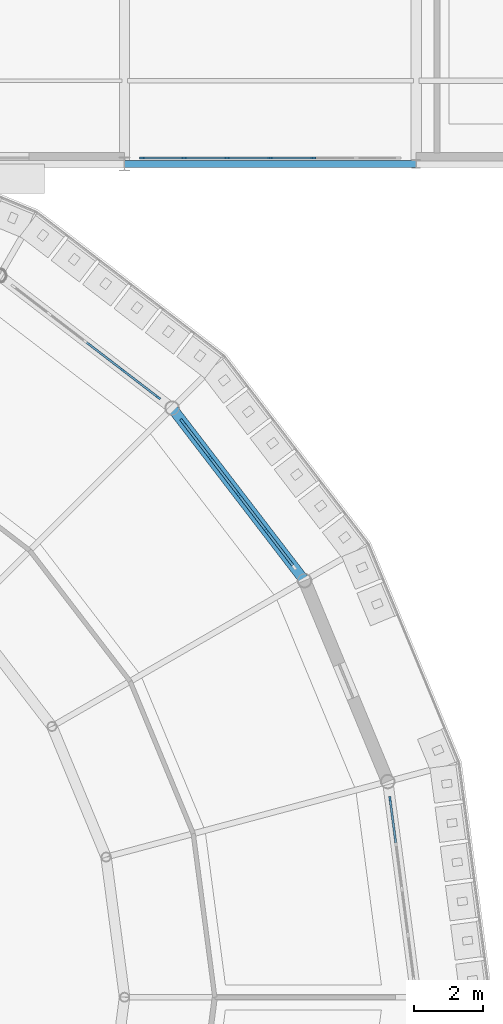
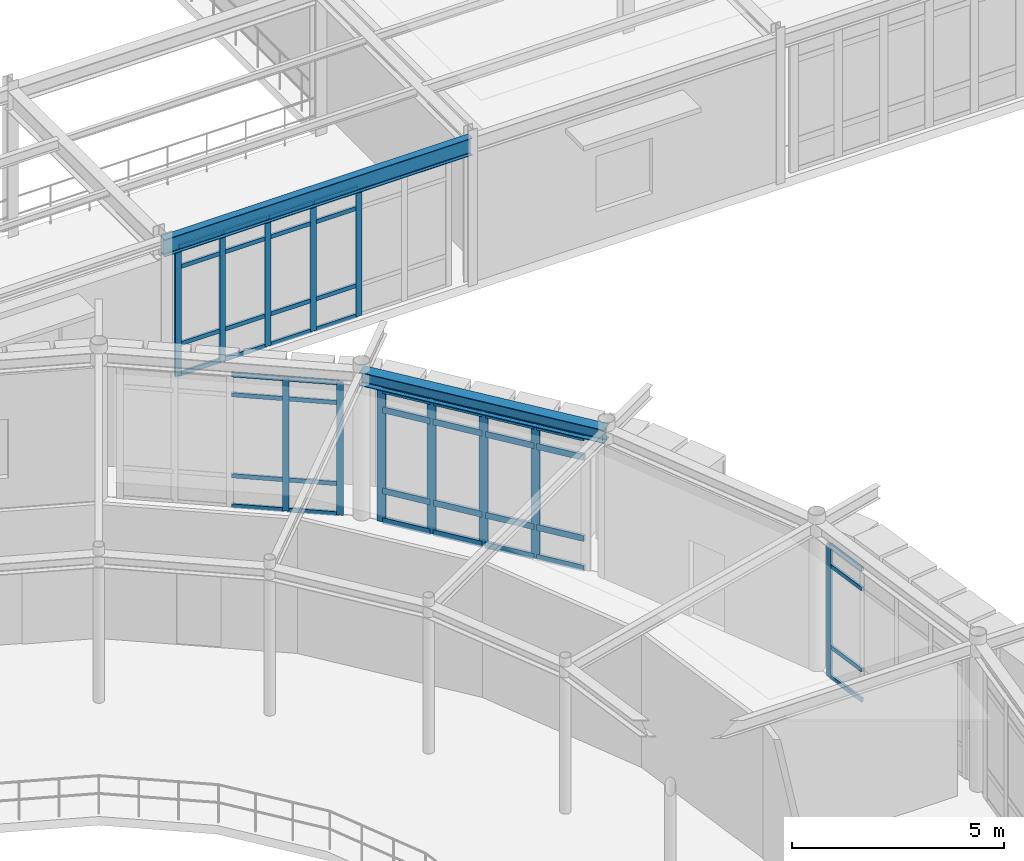
# One storey, part 57 of 106: 56 members, 2 beams, 4 elements without a shape of their own.
"""IFC4 building model written with IfcOpenShell, lengths in metres."""

from ifc_helpers import new_model, si_unit, derived_unit, direction, frame, origin, origin_2d, place, context, subcontext, project, spatial, rectangle, i_section, extrude, material, layer, layer_set, material_profile, profile_set, type_object, element, aggregate, save


model = new_model("IFC4")

# Units and contexts
model_context = context("Model", 3, precision=1e-05, world=origin(), true_north=direction((0.0, 1.0)))
body_context = subcontext(model_context, "Body", "Model", "MODEL_VIEW")
ifc_project = project(units=[si_unit("LENGTHUNIT", "METRE"), si_unit("AREAUNIT", "SQUARE_METRE"), si_unit("VOLUMEUNIT", "CUBIC_METRE"), si_unit("PLANEANGLEUNIT", "RADIAN"), si_unit("MASSUNIT", "GRAM", prefix="KILO"), derived_unit("THERMALTRANSMITTANCEUNIT", [(si_unit("POWERUNIT", "WATT"), 1), (si_unit("AREAUNIT", "SQUARE_METRE"), -1), (si_unit("THERMODYNAMICTEMPERATUREUNIT", "KELVIN"), -1)])], contexts=[model_context])

# Site, building, storey
site_placement = place(None, origin())
site = spatial("IfcSite", under=ifc_project, at=site_placement, CompositionType="ELEMENT")
building_placement = place(site_placement, origin())
building = spatial("IfcBuilding", under=site, at=building_placement, Name="Yasenodar Specialist Clinic", CompositionType="ELEMENT")
storey_placement = place(building_placement, frame((0.0, 0.0, 4.5)))
storey = spatial("IfcBuildingStorey", under=building, at=storey_placement, Name="L01", CompositionType="ELEMENT", Elevation=4.5)

# Beams
ifc_material_1 = material(Name="Steel S355", Category="steel")
ifc_material_profile_1 = material_profile(ifc_material_1, i_section(OverallWidth=0.300048828125, OverallDepth=0.389892578125, WebThickness=0.010986328125, FlangeThickness=0.01904296875, FilletRadius=0.027099609375, at=origin_2d()), Name="HEA 400")
ifc_profile_set_1 = profile_set([ifc_material_profile_1], Name="Steel S355")
beam_type_1 = type_object("IfcBeamType", Name="BM-HEA400", PredefinedType="BEAM", material=ifc_profile_set_1)
beam_1_placement = place(storey_placement, frame((101.78466796875, 70.800048828125, 4.054931640625), z_axis=(-0.608761180103, 0.793353531283, 0.0), x_axis=(-0.793353531283, -0.608761180103, 0.0)))
element("IfcBeam", 1, at=beam_1_placement, inside=storey, type_object=beam_type_1, Name="L01 Drum V1 Perimeter Ring Beam", PredefinedType="BEAM", context=body_context, shape_type="SweptSolid", body=[
    extrude(i_section(OverallWidth=0.300048828125, OverallDepth=0.389892578125, WebThickness=0.010986328125, FlangeThickness=0.01904296875, FilletRadius=0.027099609375, at=origin_2d()), origin(), (0.0, 0.0, 1.0), 6.26513671875),
])
ifc_material_profile_2 = material_profile(ifc_material_1, i_section(OverallWidth=0.199951171875, OverallDepth=0.5, WebThickness=0.01025390625, FlangeThickness=0.01611328125, FilletRadius=0.02099609375, at=origin_2d()), Name="IPE 500")
ifc_profile_set_2 = profile_set([ifc_material_profile_2], Name="Steel S355")
beam_type_2 = type_object("IfcBeamType", Name="BM-IPE500", PredefinedType="BEAM", material=ifc_profile_set_2)
beam_2_placement = place(storey_placement, frame((96.60009765625, 82.800048828125, 4.0), z_axis=(1.0, 0.0, 0.0), x_axis=(0.0, 1.0, 0.0)))
element("IfcBeam", 2, at=beam_2_placement, inside=storey, type_object=beam_type_2, Name="L01 Primary E-W Girder", PredefinedType="BEAM", context=body_context, shape_type="SweptSolid", body=[
    extrude(i_section(OverallWidth=0.199951171875, OverallDepth=0.5, WebThickness=0.01025390625, FlangeThickness=0.01611328125, FilletRadius=0.02099609375, at=origin_2d()), origin(), (0.0, 0.0, 1.0), 8.39990234375),
])

# Curtain wall, member
ifc_material_2 = material(Name="Bronze Anodized Aluminium and Triple Low-E Glass", Category="aluminium")
ifc_layer_1 = layer(ifc_material_2, 0.1669921875)
ifc_layer_set_1 = layer_set([ifc_layer_1], Name="Bronze Anodized Aluminium and Triple Low-E Glass")
curtain_wall_type_1 = type_object("IfcCurtainWallType", Name="CW-SYS-01", PredefinedType="USERDEFINED", material=ifc_layer_set_1)
curtain_wall_1_placement = place(storey_placement, origin())
curtain_wall_1 = element("IfcCurtainWall", 3, at=curtain_wall_1_placement, inside=storey, type_object=curtain_wall_type_1, Name="L01 Unitised Curtain Wall 014", ObjectType="UNITISED CURTAIN WALL", PredefinedType="USERDEFINED")
ifc_material_3 = material(Name="Bronze Anodized Aluminium", Category="aluminium")
ifc_material_profile_3 = material_profile(ifc_material_3, rectangle(XDim=0.06005859375, YDim=0.159912109375, at=origin_2d()), Name="CW-MULL 60x160")
ifc_profile_set_3 = profile_set([ifc_material_profile_3], Name="Bronze Anodized Aluminium")
member_type_1 = type_object("IfcMemberType", Name="CW-MULL-160", PredefinedType="MULLION", material=ifc_profile_set_3)
member_1_placement = place(storey_placement, frame((104.248779296875, 64.506103515625, 0.0), z_axis=(0.0, 0.0, 1.0), x_axis=(0.991446787601, 0.13051156024, 0.0)))
member_1 = element("IfcMember", 4, at=member_1_placement, type_object=member_type_1, Name="CW-01 mullion 1", PredefinedType="MULLION", context=body_context, shape_type="SweptSolid", body=[
    extrude(rectangle(XDim=0.06005859375, YDim=0.159912109375, at=origin_2d()), origin(), (0.0, 0.0, 1.0), 3.837890625),
])

# Curtain wall, members
curtain_wall_2_placement = place(storey_placement, origin())
curtain_wall_2 = element("IfcCurtainWall", 5, at=curtain_wall_2_placement, inside=storey, type_object=curtain_wall_type_1, Name="L01 Unitised Curtain Wall 016", ObjectType="UNITISED CURTAIN WALL", PredefinedType="USERDEFINED")
member_2_placement = place(storey_placement, frame((96.53759765625, 76.8701171875, 0.0), z_axis=(0.0, 0.0, 1.0), x_axis=(0.608752021844, 0.793360558574, 0.0)))
member_2 = element("IfcMember", 6, at=member_2_placement, type_object=member_type_1, Name="CW-01 mullion 4", PredefinedType="MULLION", context=body_context, shape_type="SweptSolid", body=[
    extrude(rectangle(XDim=0.06005859375, YDim=0.159912109375, at=origin_2d()), origin(), (0.0, 0.0, 1.0), 3.837890625),
])
member_3_placement = place(storey_placement, frame((97.56591796875, 76.0810546875, 0.0), z_axis=(0.0, 0.0, 1.0), x_axis=(0.608752021844, 0.793360558574, 0.0)))
member_3 = element("IfcMember", 7, at=member_3_placement, type_object=member_type_1, Name="CW-01 mullion 5", PredefinedType="MULLION", context=body_context, shape_type="SweptSolid", body=[
    extrude(rectangle(XDim=0.06005859375, YDim=0.159912109375, at=origin_2d()), origin(), (0.0, 0.0, 1.0), 3.837890625),
])

ifc_layer_2 = layer(ifc_material_2, 0.215087890625)
ifc_layer_set_2 = layer_set([ifc_layer_2], Name="Bronze Anodized Aluminium and Triple Low-E Glass")
curtain_wall_type_2 = type_object("IfcCurtainWallType", Name="CW-SYS-05", PredefinedType="USERDEFINED", material=ifc_layer_set_2)
curtain_wall_3_placement = place(storey_placement, origin())
curtain_wall_3 = element("IfcCurtainWall", 8, at=curtain_wall_3_placement, inside=storey, type_object=curtain_wall_type_2, Name="L01 Unitised Curtain Wall 151", ObjectType="UNITISED CURTAIN WALL", PredefinedType="USERDEFINED")
member_4_placement = place(storey_placement, frame((102.0400390625, 82.969970703125, 0.0), z_axis=(0.0, 0.0, 1.0), x_axis=(0.0, -1.0, 0.0)))
member_4 = element("IfcMember", 9, at=member_4_placement, type_object=member_type_1, Name="CW-05 mullion 3", PredefinedType="MULLION", context=body_context, shape_type="SweptSolid", body=[
    extrude(rectangle(XDim=0.06005859375, YDim=0.159912109375, at=origin_2d()), origin(), (0.0, 0.0, 1.0), 3.72802734375),
])
member_5_placement = place(storey_placement, frame((100.800048828125, 82.969970703125, 0.0), z_axis=(0.0, 0.0, 1.0), x_axis=(0.0, -1.0, 0.0)))
member_5 = element("IfcMember", 10, at=member_5_placement, type_object=member_type_1, Name="CW-05 mullion 4", PredefinedType="MULLION", context=body_context, shape_type="SweptSolid", body=[
    extrude(rectangle(XDim=0.06005859375, YDim=0.159912109375, at=origin_2d()), origin(), (0.0, 0.0, 1.0), 3.72802734375),
])
member_6_placement = place(storey_placement, frame((99.56005859375, 82.969970703125, 0.0), z_axis=(0.0, 0.0, 1.0), x_axis=(0.0, -1.0, 0.0)))
member_6 = element("IfcMember", 11, at=member_6_placement, type_object=member_type_1, Name="CW-05 mullion 5", PredefinedType="MULLION", context=body_context, shape_type="SweptSolid", body=[
    extrude(rectangle(XDim=0.06005859375, YDim=0.159912109375, at=origin_2d()), origin(), (0.0, 0.0, 1.0), 3.72802734375),
])
member_7_placement = place(storey_placement, frame((98.320068359375, 82.969970703125, 0.0), z_axis=(0.0, 0.0, 1.0), x_axis=(0.0, -1.0, 0.0)))
member_7 = element("IfcMember", 12, at=member_7_placement, type_object=member_type_1, Name="CW-05 mullion 6", PredefinedType="MULLION", context=body_context, shape_type="SweptSolid", body=[
    extrude(rectangle(XDim=0.06005859375, YDim=0.159912109375, at=origin_2d()), origin(), (0.0, 0.0, 1.0), 3.72802734375),
])
member_8_placement = place(storey_placement, frame((97.110107421875, 82.969970703125, 0.0), z_axis=(0.0, 0.0, 1.0), x_axis=(0.0, -1.0, 0.0)))
member_8 = element("IfcMember", 13, at=member_8_placement, type_object=member_type_1, Name="CW-05 mullion 7", PredefinedType="MULLION", context=body_context, shape_type="SweptSolid", body=[
    extrude(rectangle(XDim=0.06005859375, YDim=0.159912109375, at=origin_2d()), origin(), (0.0, 0.0, 1.0), 3.72802734375),
])

curtain_wall_4_placement = place(storey_placement, origin())
curtain_wall_4 = element("IfcCurtainWall", 14, at=curtain_wall_4_placement, inside=storey, type_object=curtain_wall_type_1, Name="L01 Unitised Curtain Wall 015", ObjectType="UNITISED CURTAIN WALL", PredefinedType="USERDEFINED")
ifc_material_profile_4 = material_profile(ifc_material_3, rectangle(XDim=0.074951171875, YDim=0.22509765625, at=origin_2d()), Name="CW-MULL 75x225")
ifc_profile_set_4 = profile_set([ifc_material_profile_4], Name="Bronze Anodized Aluminium")
member_type_2 = type_object("IfcMemberType", Name="CW-MULL-225", PredefinedType="MULLION", material=ifc_profile_set_4)
member_9_placement = place(storey_placement, frame((98.28564453125, 75.360107421875, 0.0), z_axis=(0.0, 0.0, 1.0), x_axis=(0.793360558574, 0.608752021844, 0.0)))
member_9 = element("IfcMember", 15, at=member_9_placement, type_object=member_type_2, Name="CW-01 mullion 1", PredefinedType="MULLION", context=body_context, shape_type="SweptSolid", body=[
    extrude(rectangle(XDim=0.074951171875, YDim=0.22509765625, at=origin_2d()), origin(), (0.0, 0.0, 1.0), 3.837890625),
])
member_10_placement = place(storey_placement, frame((99.0703125, 74.337646484375, 0.0), z_axis=(0.0, 0.0, 1.0), x_axis=(0.793360558574, 0.608752021844, 0.0)))
member_10 = element("IfcMember", 16, at=member_10_placement, type_object=member_type_2, Name="CW-01 mullion 2", PredefinedType="MULLION", context=body_context, shape_type="SweptSolid", body=[
    extrude(rectangle(XDim=0.074951171875, YDim=0.22509765625, at=origin_2d()), origin(), (0.0, 0.0, 1.0), 3.837890625),
])
member_11_placement = place(storey_placement, frame((99.877685546875, 73.285400390625, 0.0), z_axis=(0.0, 0.0, 1.0), x_axis=(0.793360558574, 0.608752021844, 0.0)))
member_11 = element("IfcMember", 17, at=member_11_placement, type_object=member_type_2, Name="CW-01 mullion 3", PredefinedType="MULLION", context=body_context, shape_type="SweptSolid", body=[
    extrude(rectangle(XDim=0.074951171875, YDim=0.22509765625, at=origin_2d()), origin(), (0.0, 0.0, 1.0), 3.837890625),
])
member_12_placement = place(storey_placement, frame((100.68505859375, 72.233154296875, 0.0), z_axis=(0.0, 0.0, 1.0), x_axis=(0.793360558574, 0.608752021844, 0.0)))
member_12 = element("IfcMember", 18, at=member_12_placement, type_object=member_type_2, Name="CW-01 mullion 4", PredefinedType="MULLION", context=body_context, shape_type="SweptSolid", body=[
    extrude(rectangle(XDim=0.074951171875, YDim=0.22509765625, at=origin_2d()), origin(), (0.0, 0.0, 1.0), 3.837890625),
])

# Member
ifc_material_profile_5 = material_profile(ifc_material_3, rectangle(XDim=0.06005859375, YDim=0.1201171875, at=origin_2d()), Name="CW-TRAN 60x120")
ifc_profile_set_5 = profile_set([ifc_material_profile_5], Name="Bronze Anodized Aluminium")
member_type_3 = type_object("IfcMemberType", Name="CW-TRAN-120", PredefinedType="USERDEFINED", material=ifc_profile_set_5)
member_13_placement = place(storey_placement, frame((104.252685546875, 64.476318359375, 0.030029296875), z_axis=(0.130520914683, -0.99144555616, 0.0), x_axis=(0.99144555616, 0.130520914683, 0.0)))
member_13 = element("IfcMember", 19, at=member_13_placement, type_object=member_type_3, Name="CW-01 transom 1.1", ObjectType="TRANSOM", PredefinedType="USERDEFINED", context=body_context, shape_type="SweptSolid", body=[
    extrude(rectangle(XDim=0.06005859375, YDim=0.1201171875, at=origin_2d()), origin(), (0.0, 0.0, 1.0), 1.236328125),
])

member_14_placement = place(storey_placement, frame((104.252685546875, 64.476318359375, 0.89990234375), z_axis=(0.130520914683, -0.99144555616, 0.0), x_axis=(0.99144555616, 0.130520914683, 0.0)))
member_14 = element("IfcMember", 20, at=member_14_placement, type_object=member_type_3, Name="CW-01 transom 1.2", ObjectType="TRANSOM", PredefinedType="USERDEFINED", context=body_context, shape_type="SweptSolid", body=[
    extrude(rectangle(XDim=0.06005859375, YDim=0.1201171875, at=origin_2d()), origin(), (0.0, 0.0, 1.0), 1.236328125),
])

member_15_placement = place(storey_placement, frame((104.252685546875, 64.476318359375, 3.238037109375), z_axis=(0.130520914683, -0.99144555616, 0.0), x_axis=(0.99144555616, 0.130520914683, 0.0)))
member_15 = element("IfcMember", 21, at=member_15_placement, type_object=member_type_3, Name="CW-01 transom 1.3", ObjectType="TRANSOM", PredefinedType="USERDEFINED", context=body_context, shape_type="SweptSolid", body=[
    extrude(rectangle(XDim=0.06005859375, YDim=0.1201171875, at=origin_2d()), origin(), (0.0, 0.0, 1.0), 1.236328125),
])

member_16_placement = place(storey_placement, frame((104.252685546875, 64.476318359375, 3.80810546875), z_axis=(0.130520914683, -0.99144555616, 0.0), x_axis=(0.99144555616, 0.130520914683, 0.0)))
member_16 = element("IfcMember", 22, at=member_16_placement, type_object=member_type_3, Name="CW-01 transom 1.4", ObjectType="TRANSOM", PredefinedType="USERDEFINED", context=body_context, shape_type="SweptSolid", body=[
    extrude(rectangle(XDim=0.06005859375, YDim=0.1201171875, at=origin_2d()), origin(), (0.0, 0.0, 1.0), 1.236328125),
])

aggregate(curtain_wall_1, [member_1, member_13, member_14, member_15, member_16])

member_17_placement = place(storey_placement, frame((95.509033203125, 77.659423828125, 0.030029296875), z_axis=(0.793311491475, -0.608815963567, 0.0), x_axis=(0.608815963567, 0.793311491475, 0.0)))
member_17 = element("IfcMember", 23, at=member_17_placement, type_object=member_type_3, Name="CW-01 transom 3.1", ObjectType="TRANSOM", PredefinedType="USERDEFINED", context=body_context, shape_type="SweptSolid", body=[
    extrude(rectangle(XDim=0.06005859375, YDim=0.1201171875, at=origin_2d()), origin(), (0.0, 0.0, 1.0), 1.266357421875),
])

member_18_placement = place(storey_placement, frame((95.509033203125, 77.659423828125, 0.89990234375), z_axis=(0.793311491475, -0.608815963567, 0.0), x_axis=(0.608815963567, 0.793311491475, 0.0)))
member_18 = element("IfcMember", 24, at=member_18_placement, type_object=member_type_3, Name="CW-01 transom 3.2", ObjectType="TRANSOM", PredefinedType="USERDEFINED", context=body_context, shape_type="SweptSolid", body=[
    extrude(rectangle(XDim=0.06005859375, YDim=0.1201171875, at=origin_2d()), origin(), (0.0, 0.0, 1.0), 1.266357421875),
])

member_19_placement = place(storey_placement, frame((95.509033203125, 77.659423828125, 3.238037109375), z_axis=(0.793311491475, -0.608815963567, 0.0), x_axis=(0.608815963567, 0.793311491475, 0.0)))
member_19 = element("IfcMember", 25, at=member_19_placement, type_object=member_type_3, Name="CW-01 transom 3.3", ObjectType="TRANSOM", PredefinedType="USERDEFINED", context=body_context, shape_type="SweptSolid", body=[
    extrude(rectangle(XDim=0.06005859375, YDim=0.1201171875, at=origin_2d()), origin(), (0.0, 0.0, 1.0), 1.266357421875),
])

member_20_placement = place(storey_placement, frame((95.509033203125, 77.659423828125, 3.80810546875), z_axis=(0.793311491475, -0.608815963567, 0.0), x_axis=(0.608815963567, 0.793311491475, 0.0)))
member_20 = element("IfcMember", 26, at=member_20_placement, type_object=member_type_3, Name="CW-01 transom 3.4", ObjectType="TRANSOM", PredefinedType="USERDEFINED", context=body_context, shape_type="SweptSolid", body=[
    extrude(rectangle(XDim=0.06005859375, YDim=0.1201171875, at=origin_2d()), origin(), (0.0, 0.0, 1.0), 1.266357421875),
])

member_21_placement = place(storey_placement, frame((96.561279296875, 76.85205078125, 0.030029296875), z_axis=(0.793364768151, -0.608746535642, 0.0), x_axis=(0.608746535642, 0.793364768151, 0.0)))
member_21 = element("IfcMember", 27, at=member_21_placement, type_object=member_type_3, Name="CW-01 transom 4.1", ObjectType="TRANSOM", PredefinedType="USERDEFINED", context=body_context, shape_type="SweptSolid", body=[
    extrude(rectangle(XDim=0.06005859375, YDim=0.1201171875, at=origin_2d()), origin(), (0.0, 0.0, 1.0), 1.236572265625),
])

member_22_placement = place(storey_placement, frame((96.561279296875, 76.85205078125, 0.89990234375), z_axis=(0.793364768151, -0.608746535642, 0.0), x_axis=(0.608746535642, 0.793364768151, 0.0)))
member_22 = element("IfcMember", 28, at=member_22_placement, type_object=member_type_3, Name="CW-01 transom 4.2", ObjectType="TRANSOM", PredefinedType="USERDEFINED", context=body_context, shape_type="SweptSolid", body=[
    extrude(rectangle(XDim=0.06005859375, YDim=0.1201171875, at=origin_2d()), origin(), (0.0, 0.0, 1.0), 1.236572265625),
])

member_23_placement = place(storey_placement, frame((96.561279296875, 76.85205078125, 3.238037109375), z_axis=(0.793364768151, -0.608746535642, 0.0), x_axis=(0.608746535642, 0.793364768151, 0.0)))
member_23 = element("IfcMember", 29, at=member_23_placement, type_object=member_type_3, Name="CW-01 transom 4.3", ObjectType="TRANSOM", PredefinedType="USERDEFINED", context=body_context, shape_type="SweptSolid", body=[
    extrude(rectangle(XDim=0.06005859375, YDim=0.1201171875, at=origin_2d()), origin(), (0.0, 0.0, 1.0), 1.236572265625),
])

member_24_placement = place(storey_placement, frame((96.561279296875, 76.85205078125, 3.80810546875), z_axis=(0.793364768151, -0.608746535642, 0.0), x_axis=(0.608746535642, 0.793364768151, 0.0)))
member_24 = element("IfcMember", 30, at=member_24_placement, type_object=member_type_3, Name="CW-01 transom 4.4", ObjectType="TRANSOM", PredefinedType="USERDEFINED", context=body_context, shape_type="SweptSolid", body=[
    extrude(rectangle(XDim=0.06005859375, YDim=0.1201171875, at=origin_2d()), origin(), (0.0, 0.0, 1.0), 1.236572265625),
])

aggregate(curtain_wall_2, [member_2, member_3, member_17, member_18, member_19, member_20, member_21, member_22, member_23, member_24])

member_25_placement = place(storey_placement, frame((102.010009765625, 82.969970703125, 0.030029296875), z_axis=(-1.0, 0.0, 0.0), x_axis=(0.0, -1.0, 0.0)))
member_25 = element("IfcMember", 31, at=member_25_placement, type_object=member_type_3, Name="CW-05 transom 3.1", ObjectType="TRANSOM", PredefinedType="USERDEFINED", context=body_context, shape_type="SweptSolid", body=[
    extrude(rectangle(XDim=0.06005859375, YDim=0.1201171875, at=origin_2d()), origin(), (0.0, 0.0, 1.0), 1.179931640625),
])

member_26_placement = place(storey_placement, frame((102.010009765625, 82.969970703125, 0.89990234375), z_axis=(-1.0, 0.0, 0.0), x_axis=(0.0, -1.0, 0.0)))
member_26 = element("IfcMember", 32, at=member_26_placement, type_object=member_type_3, Name="CW-05 transom 3.2", ObjectType="TRANSOM", PredefinedType="USERDEFINED", context=body_context, shape_type="SweptSolid", body=[
    extrude(rectangle(XDim=0.06005859375, YDim=0.1201171875, at=origin_2d()), origin(), (0.0, 0.0, 1.0), 1.179931640625),
])

member_27_placement = place(storey_placement, frame((102.010009765625, 82.969970703125, 3.1279296875), z_axis=(-1.0, 0.0, 0.0), x_axis=(0.0, -1.0, 0.0)))
member_27 = element("IfcMember", 33, at=member_27_placement, type_object=member_type_3, Name="CW-05 transom 3.3", ObjectType="TRANSOM", PredefinedType="USERDEFINED", context=body_context, shape_type="SweptSolid", body=[
    extrude(rectangle(XDim=0.06005859375, YDim=0.1201171875, at=origin_2d()), origin(), (0.0, 0.0, 1.0), 1.179931640625),
])

member_28_placement = place(storey_placement, frame((102.010009765625, 82.969970703125, 3.697998046875), z_axis=(-1.0, 0.0, 0.0), x_axis=(0.0, -1.0, 0.0)))
member_28 = element("IfcMember", 34, at=member_28_placement, type_object=member_type_3, Name="CW-05 transom 3.4", ObjectType="TRANSOM", PredefinedType="USERDEFINED", context=body_context, shape_type="SweptSolid", body=[
    extrude(rectangle(XDim=0.06005859375, YDim=0.1201171875, at=origin_2d()), origin(), (0.0, 0.0, 1.0), 1.179931640625),
])

member_29_placement = place(storey_placement, frame((100.77001953125, 82.969970703125, 0.030029296875), z_axis=(-1.0, 0.0, 0.0), x_axis=(0.0, -1.0, 0.0)))
member_29 = element("IfcMember", 35, at=member_29_placement, type_object=member_type_3, Name="CW-05 transom 4.1", ObjectType="TRANSOM", PredefinedType="USERDEFINED", context=body_context, shape_type="SweptSolid", body=[
    extrude(rectangle(XDim=0.06005859375, YDim=0.1201171875, at=origin_2d()), origin(), (0.0, 0.0, 1.0), 1.179931640625),
])

member_30_placement = place(storey_placement, frame((100.77001953125, 82.969970703125, 0.89990234375), z_axis=(-1.0, 0.0, 0.0), x_axis=(0.0, -1.0, 0.0)))
member_30 = element("IfcMember", 36, at=member_30_placement, type_object=member_type_3, Name="CW-05 transom 4.2", ObjectType="TRANSOM", PredefinedType="USERDEFINED", context=body_context, shape_type="SweptSolid", body=[
    extrude(rectangle(XDim=0.06005859375, YDim=0.1201171875, at=origin_2d()), origin(), (0.0, 0.0, 1.0), 1.179931640625),
])

member_31_placement = place(storey_placement, frame((100.77001953125, 82.969970703125, 3.1279296875), z_axis=(-1.0, 0.0, 0.0), x_axis=(0.0, -1.0, 0.0)))
member_31 = element("IfcMember", 37, at=member_31_placement, type_object=member_type_3, Name="CW-05 transom 4.3", ObjectType="TRANSOM", PredefinedType="USERDEFINED", context=body_context, shape_type="SweptSolid", body=[
    extrude(rectangle(XDim=0.06005859375, YDim=0.1201171875, at=origin_2d()), origin(), (0.0, 0.0, 1.0), 1.179931640625),
])

member_32_placement = place(storey_placement, frame((100.77001953125, 82.969970703125, 3.697998046875), z_axis=(-1.0, 0.0, 0.0), x_axis=(0.0, -1.0, 0.0)))
member_32 = element("IfcMember", 38, at=member_32_placement, type_object=member_type_3, Name="CW-05 transom 4.4", ObjectType="TRANSOM", PredefinedType="USERDEFINED", context=body_context, shape_type="SweptSolid", body=[
    extrude(rectangle(XDim=0.06005859375, YDim=0.1201171875, at=origin_2d()), origin(), (0.0, 0.0, 1.0), 1.179931640625),
])

member_33_placement = place(storey_placement, frame((99.530029296875, 82.969970703125, 0.030029296875), z_axis=(-1.0, 0.0, 0.0), x_axis=(0.0, -1.0, 0.0)))
member_33 = element("IfcMember", 39, at=member_33_placement, type_object=member_type_3, Name="CW-05 transom 5.1", ObjectType="TRANSOM", PredefinedType="USERDEFINED", context=body_context, shape_type="SweptSolid", body=[
    extrude(rectangle(XDim=0.06005859375, YDim=0.1201171875, at=origin_2d()), origin(), (0.0, 0.0, 1.0), 1.179931640625),
])

member_34_placement = place(storey_placement, frame((99.530029296875, 82.969970703125, 0.89990234375), z_axis=(-1.0, 0.0, 0.0), x_axis=(0.0, -1.0, 0.0)))
member_34 = element("IfcMember", 40, at=member_34_placement, type_object=member_type_3, Name="CW-05 transom 5.2", ObjectType="TRANSOM", PredefinedType="USERDEFINED", context=body_context, shape_type="SweptSolid", body=[
    extrude(rectangle(XDim=0.06005859375, YDim=0.1201171875, at=origin_2d()), origin(), (0.0, 0.0, 1.0), 1.179931640625),
])

member_35_placement = place(storey_placement, frame((99.530029296875, 82.969970703125, 3.1279296875), z_axis=(-1.0, 0.0, 0.0), x_axis=(0.0, -1.0, 0.0)))
member_35 = element("IfcMember", 41, at=member_35_placement, type_object=member_type_3, Name="CW-05 transom 5.3", ObjectType="TRANSOM", PredefinedType="USERDEFINED", context=body_context, shape_type="SweptSolid", body=[
    extrude(rectangle(XDim=0.06005859375, YDim=0.1201171875, at=origin_2d()), origin(), (0.0, 0.0, 1.0), 1.179931640625),
])

member_36_placement = place(storey_placement, frame((99.530029296875, 82.969970703125, 3.697998046875), z_axis=(-1.0, 0.0, 0.0), x_axis=(0.0, -1.0, 0.0)))
member_36 = element("IfcMember", 42, at=member_36_placement, type_object=member_type_3, Name="CW-05 transom 5.4", ObjectType="TRANSOM", PredefinedType="USERDEFINED", context=body_context, shape_type="SweptSolid", body=[
    extrude(rectangle(XDim=0.06005859375, YDim=0.1201171875, at=origin_2d()), origin(), (0.0, 0.0, 1.0), 1.179931640625),
])

member_37_placement = place(storey_placement, frame((98.2900390625, 82.969970703125, 0.030029296875), z_axis=(-1.0, 0.0, 0.0), x_axis=(0.0, -1.0, 0.0)))
member_37 = element("IfcMember", 43, at=member_37_placement, type_object=member_type_3, Name="CW-05 transom 6.1", ObjectType="TRANSOM", PredefinedType="USERDEFINED", context=body_context, shape_type="SweptSolid", body=[
    extrude(rectangle(XDim=0.06005859375, YDim=0.1201171875, at=origin_2d()), origin(), (0.0, 0.0, 1.0), 1.150146484375),
])

member_38_placement = place(storey_placement, frame((98.2900390625, 82.969970703125, 0.89990234375), z_axis=(-1.0, 0.0, 0.0), x_axis=(0.0, -1.0, 0.0)))
member_38 = element("IfcMember", 44, at=member_38_placement, type_object=member_type_3, Name="CW-05 transom 6.2", ObjectType="TRANSOM", PredefinedType="USERDEFINED", context=body_context, shape_type="SweptSolid", body=[
    extrude(rectangle(XDim=0.06005859375, YDim=0.1201171875, at=origin_2d()), origin(), (0.0, 0.0, 1.0), 1.150146484375),
])

member_39_placement = place(storey_placement, frame((98.2900390625, 82.969970703125, 3.1279296875), z_axis=(-1.0, 0.0, 0.0), x_axis=(0.0, -1.0, 0.0)))
member_39 = element("IfcMember", 45, at=member_39_placement, type_object=member_type_3, Name="CW-05 transom 6.3", ObjectType="TRANSOM", PredefinedType="USERDEFINED", context=body_context, shape_type="SweptSolid", body=[
    extrude(rectangle(XDim=0.06005859375, YDim=0.1201171875, at=origin_2d()), origin(), (0.0, 0.0, 1.0), 1.150146484375),
])

member_40_placement = place(storey_placement, frame((98.2900390625, 82.969970703125, 3.697998046875), z_axis=(-1.0, 0.0, 0.0), x_axis=(0.0, -1.0, 0.0)))
member_40 = element("IfcMember", 46, at=member_40_placement, type_object=member_type_3, Name="CW-05 transom 6.4", ObjectType="TRANSOM", PredefinedType="USERDEFINED", context=body_context, shape_type="SweptSolid", body=[
    extrude(rectangle(XDim=0.06005859375, YDim=0.1201171875, at=origin_2d()), origin(), (0.0, 0.0, 1.0), 1.150146484375),
])

aggregate(curtain_wall_3, [member_4, member_5, member_6, member_7, member_8, member_25, member_26, member_27, member_28, member_29, member_30, member_31, member_32, member_33, member_34, member_35, member_36, member_37, member_38, member_39, member_40])

ifc_material_profile_6 = material_profile(ifc_material_3, rectangle(XDim=0.074951171875, YDim=0.175048828125, at=origin_2d()), Name="CW-TRAN 75x175")
ifc_profile_set_6 = profile_set([ifc_material_profile_6], Name="Bronze Anodized Aluminium")
member_type_4 = type_object("IfcMemberType", Name="CW-TRAN-175", PredefinedType="USERDEFINED", material=ifc_profile_set_6)
member_41_placement = place(storey_placement, frame((98.308349609375, 75.330322265625, 0.03759765625), z_axis=(0.608748142328, -0.793363535343, 0.0), x_axis=(0.793363535343, 0.608748142328, 0.0)))
member_41 = element("IfcMember", 47, at=member_41_placement, type_object=member_type_4, Name="CW-01 transom 1.1", ObjectType="TRANSOM", PredefinedType="USERDEFINED", context=body_context, shape_type="SweptSolid", body=[
    extrude(rectangle(XDim=0.074951171875, YDim=0.175048828125, at=origin_2d()), origin(), (0.0, 0.0, 1.0), 1.2138671875),
])

member_42_placement = place(storey_placement, frame((98.308349609375, 75.330322265625, 0.89990234375), z_axis=(0.608748142328, -0.793363535343, 0.0), x_axis=(0.793363535343, 0.608748142328, 0.0)))
member_42 = element("IfcMember", 48, at=member_42_placement, type_object=member_type_4, Name="CW-01 transom 1.2", ObjectType="TRANSOM", PredefinedType="USERDEFINED", context=body_context, shape_type="SweptSolid", body=[
    extrude(rectangle(XDim=0.074951171875, YDim=0.175048828125, at=origin_2d()), origin(), (0.0, 0.0, 1.0), 1.2138671875),
])

member_43_placement = place(storey_placement, frame((98.308349609375, 75.330322265625, 3.238037109375), z_axis=(0.608748142328, -0.793363535343, 0.0), x_axis=(0.793363535343, 0.608748142328, 0.0)))
member_43 = element("IfcMember", 49, at=member_43_placement, type_object=member_type_4, Name="CW-01 transom 1.3", ObjectType="TRANSOM", PredefinedType="USERDEFINED", context=body_context, shape_type="SweptSolid", body=[
    extrude(rectangle(XDim=0.074951171875, YDim=0.175048828125, at=origin_2d()), origin(), (0.0, 0.0, 1.0), 1.2138671875),
])

member_44_placement = place(storey_placement, frame((98.308349609375, 75.330322265625, 3.800537109375), z_axis=(0.608748142328, -0.793363535343, 0.0), x_axis=(0.793363535343, 0.608748142328, 0.0)))
member_44 = element("IfcMember", 50, at=member_44_placement, type_object=member_type_4, Name="CW-01 transom 1.4", ObjectType="TRANSOM", PredefinedType="USERDEFINED", context=body_context, shape_type="SweptSolid", body=[
    extrude(rectangle(XDim=0.074951171875, YDim=0.175048828125, at=origin_2d()), origin(), (0.0, 0.0, 1.0), 1.2138671875),
])

member_45_placement = place(storey_placement, frame((99.093017578125, 74.307861328125, 0.03759765625), z_axis=(0.608673156435, -0.793421066417, 0.0), x_axis=(0.793421066417, 0.608673156435, 0.0)))
member_45 = element("IfcMember", 51, at=member_45_placement, type_object=member_type_4, Name="CW-01 transom 2.1", ObjectType="TRANSOM", PredefinedType="USERDEFINED", context=body_context, shape_type="SweptSolid", body=[
    extrude(rectangle(XDim=0.074951171875, YDim=0.175048828125, at=origin_2d()), origin(), (0.0, 0.0, 1.0), 1.25146484375),
])

member_46_placement = place(storey_placement, frame((99.093017578125, 74.307861328125, 0.89990234375), z_axis=(0.608673156435, -0.793421066417, 0.0), x_axis=(0.793421066417, 0.608673156435, 0.0)))
member_46 = element("IfcMember", 52, at=member_46_placement, type_object=member_type_4, Name="CW-01 transom 2.2", ObjectType="TRANSOM", PredefinedType="USERDEFINED", context=body_context, shape_type="SweptSolid", body=[
    extrude(rectangle(XDim=0.074951171875, YDim=0.175048828125, at=origin_2d()), origin(), (0.0, 0.0, 1.0), 1.25146484375),
])

member_47_placement = place(storey_placement, frame((99.093017578125, 74.307861328125, 3.238037109375), z_axis=(0.608673156435, -0.793421066417, 0.0), x_axis=(0.793421066417, 0.608673156435, 0.0)))
member_47 = element("IfcMember", 53, at=member_47_placement, type_object=member_type_4, Name="CW-01 transom 2.3", ObjectType="TRANSOM", PredefinedType="USERDEFINED", context=body_context, shape_type="SweptSolid", body=[
    extrude(rectangle(XDim=0.074951171875, YDim=0.175048828125, at=origin_2d()), origin(), (0.0, 0.0, 1.0), 1.25146484375),
])

member_48_placement = place(storey_placement, frame((99.093017578125, 74.307861328125, 3.800537109375), z_axis=(0.608673156435, -0.793421066417, 0.0), x_axis=(0.793421066417, 0.608673156435, 0.0)))
member_48 = element("IfcMember", 54, at=member_48_placement, type_object=member_type_4, Name="CW-01 transom 2.4", ObjectType="TRANSOM", PredefinedType="USERDEFINED", context=body_context, shape_type="SweptSolid", body=[
    extrude(rectangle(XDim=0.074951171875, YDim=0.175048828125, at=origin_2d()), origin(), (0.0, 0.0, 1.0), 1.25146484375),
])

member_49_placement = place(storey_placement, frame((99.900390625, 73.255615234375, 0.03759765625), z_axis=(0.608673156435, -0.793421066417, 0.0), x_axis=(0.793421066417, 0.608673156435, 0.0)))
member_49 = element("IfcMember", 55, at=member_49_placement, type_object=member_type_4, Name="CW-01 transom 3.1", ObjectType="TRANSOM", PredefinedType="USERDEFINED", context=body_context, shape_type="SweptSolid", body=[
    extrude(rectangle(XDim=0.074951171875, YDim=0.175048828125, at=origin_2d()), origin(), (0.0, 0.0, 1.0), 1.25146484375),
])

member_50_placement = place(storey_placement, frame((99.900390625, 73.255615234375, 0.89990234375), z_axis=(0.608673156435, -0.793421066417, 0.0), x_axis=(0.793421066417, 0.608673156435, 0.0)))
member_50 = element("IfcMember", 56, at=member_50_placement, type_object=member_type_4, Name="CW-01 transom 3.2", ObjectType="TRANSOM", PredefinedType="USERDEFINED", context=body_context, shape_type="SweptSolid", body=[
    extrude(rectangle(XDim=0.074951171875, YDim=0.175048828125, at=origin_2d()), origin(), (0.0, 0.0, 1.0), 1.25146484375),
])

member_51_placement = place(storey_placement, frame((99.900390625, 73.255615234375, 3.238037109375), z_axis=(0.608673156435, -0.793421066417, 0.0), x_axis=(0.793421066417, 0.608673156435, 0.0)))
member_51 = element("IfcMember", 57, at=member_51_placement, type_object=member_type_4, Name="CW-01 transom 3.3", ObjectType="TRANSOM", PredefinedType="USERDEFINED", context=body_context, shape_type="SweptSolid", body=[
    extrude(rectangle(XDim=0.074951171875, YDim=0.175048828125, at=origin_2d()), origin(), (0.0, 0.0, 1.0), 1.25146484375),
])

member_52_placement = place(storey_placement, frame((99.900390625, 73.255615234375, 3.800537109375), z_axis=(0.608673156435, -0.793421066417, 0.0), x_axis=(0.793421066417, 0.608673156435, 0.0)))
member_52 = element("IfcMember", 58, at=member_52_placement, type_object=member_type_4, Name="CW-01 transom 3.4", ObjectType="TRANSOM", PredefinedType="USERDEFINED", context=body_context, shape_type="SweptSolid", body=[
    extrude(rectangle(XDim=0.074951171875, YDim=0.175048828125, at=origin_2d()), origin(), (0.0, 0.0, 1.0), 1.25146484375),
])

member_53_placement = place(storey_placement, frame((100.707763671875, 72.203369140625, 0.03759765625), z_axis=(0.608748142328, -0.793363535343, 0.0), x_axis=(0.793363535343, 0.608748142328, 0.0)))
member_53 = element("IfcMember", 59, at=member_53_placement, type_object=member_type_4, Name="CW-01 transom 4.1", ObjectType="TRANSOM", PredefinedType="USERDEFINED", context=body_context, shape_type="SweptSolid", body=[
    extrude(rectangle(XDim=0.074951171875, YDim=0.175048828125, at=origin_2d()), origin(), (0.0, 0.0, 1.0), 1.2138671875),
])

member_54_placement = place(storey_placement, frame((100.707763671875, 72.203369140625, 0.89990234375), z_axis=(0.608748142328, -0.793363535343, 0.0), x_axis=(0.793363535343, 0.608748142328, 0.0)))
member_54 = element("IfcMember", 60, at=member_54_placement, type_object=member_type_4, Name="CW-01 transom 4.2", ObjectType="TRANSOM", PredefinedType="USERDEFINED", context=body_context, shape_type="SweptSolid", body=[
    extrude(rectangle(XDim=0.074951171875, YDim=0.175048828125, at=origin_2d()), origin(), (0.0, 0.0, 1.0), 1.2138671875),
])

member_55_placement = place(storey_placement, frame((100.707763671875, 72.203369140625, 3.238037109375), z_axis=(0.608748142328, -0.793363535343, 0.0), x_axis=(0.793363535343, 0.608748142328, 0.0)))
member_55 = element("IfcMember", 61, at=member_55_placement, type_object=member_type_4, Name="CW-01 transom 4.3", ObjectType="TRANSOM", PredefinedType="USERDEFINED", context=body_context, shape_type="SweptSolid", body=[
    extrude(rectangle(XDim=0.074951171875, YDim=0.175048828125, at=origin_2d()), origin(), (0.0, 0.0, 1.0), 1.2138671875),
])

member_56_placement = place(storey_placement, frame((100.707763671875, 72.203369140625, 3.800537109375), z_axis=(0.608748142328, -0.793363535343, 0.0), x_axis=(0.793363535343, 0.608748142328, 0.0)))
member_56 = element("IfcMember", 62, at=member_56_placement, type_object=member_type_4, Name="CW-01 transom 4.4", ObjectType="TRANSOM", PredefinedType="USERDEFINED", context=body_context, shape_type="SweptSolid", body=[
    extrude(rectangle(XDim=0.074951171875, YDim=0.175048828125, at=origin_2d()), origin(), (0.0, 0.0, 1.0), 1.2138671875),
])

aggregate(curtain_wall_4, [member_9, member_10, member_11, member_12, member_41, member_42, member_43, member_44, member_45, member_46, member_47, member_48, member_49, member_50, member_51, member_52, member_53, member_54, member_55, member_56])

save(model, "model.ifc")
